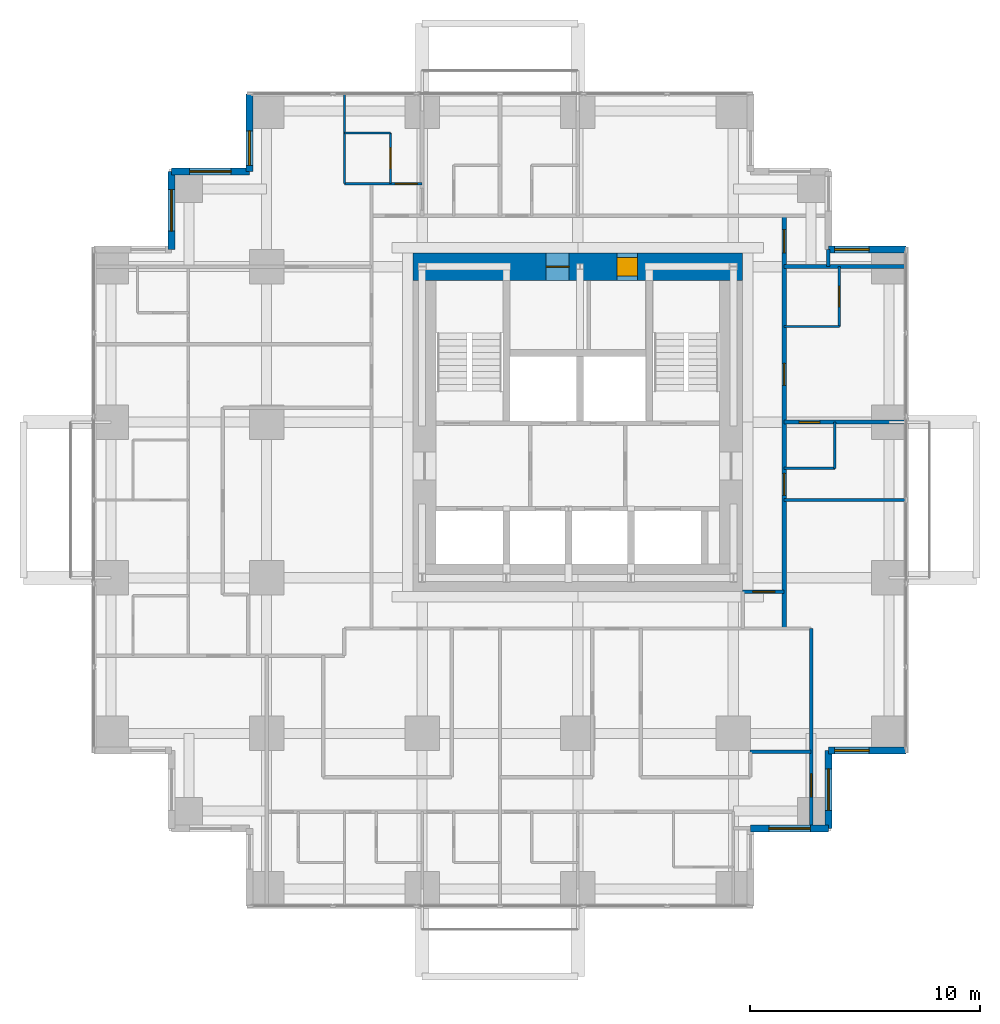
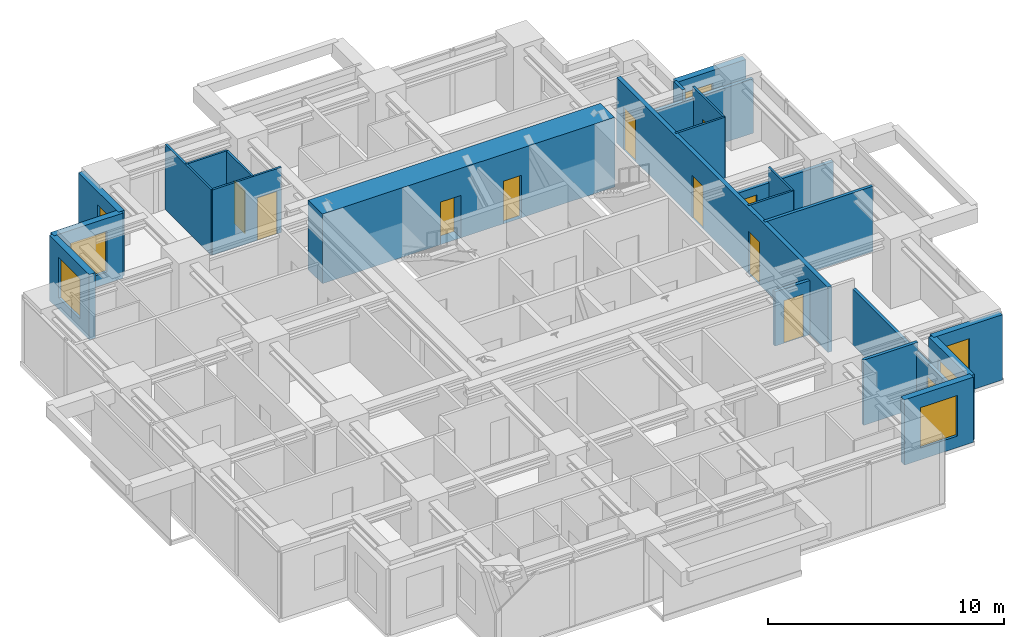
# One storey, part 8 of 10: 24 walls, 11 doors, 7 windows, 18 openings.
"""IFC4 building model written with IfcOpenShell, lengths in metres."""

from ifc_helpers import new_model, si_unit, direction, frame, frame_2d, origin, place, context, subcontext, project, spatial, rectangle, extrude, material, layer, layer_set, type_object, element, fill, save


model = new_model("IFC4")

# Units and contexts
model_context = context("Model", 3, precision=1e-05, world=origin(), true_north=direction((0.0, 1.0)))
body_context = subcontext(model_context, "Body", "Model", "MODEL_VIEW")
ifc_project = project(units=[si_unit("LENGTHUNIT", "METRE"), si_unit("AREAUNIT", "SQUARE_METRE"), si_unit("VOLUMEUNIT", "CUBIC_METRE"), si_unit("PLANEANGLEUNIT", "RADIAN"), si_unit("MASSUNIT", "GRAM", prefix="KILO")], contexts=[model_context])

# Site, building, storey
site_placement = place(None, origin())
site = spatial("IfcSite", under=ifc_project, at=site_placement, CompositionType="ELEMENT")
building_placement = place(site_placement, origin())
building = spatial("IfcBuilding", under=site, at=building_placement, Name="Nyansa Garden Tower", CompositionType="ELEMENT")
storey_placement = place(building_placement, frame((0.0, 0.0, 153.0)))
storey = spatial("IfcBuildingStorey", under=building, at=storey_placement, Name="L41", CompositionType="ELEMENT", Elevation=153.0)

# Wall, opening, door
ifc_material_1 = material(Name="Dense blockwork, plastered both sides, 55 dB", Category="masonry")
ifc_layer_1 = layer(ifc_material_1, 0.175048828125)
ifc_layer_set_1 = layer_set([ifc_layer_1], Name="Acoustic party wall PW175")
wall_type_1 = type_object("IfcWallType", Name="Acoustic party wall PW175", PredefinedType="PARTITIONING", material=ifc_layer_set_1)
wall_1_placement = place(storey_placement, frame((29.199951171875, 20.25, 0.0), z_axis=(0.0, 0.0, 1.0), x_axis=(1.0, 0.0, 0.0)))
wall_1 = element("IfcWall", 1, at=wall_1_placement, inside=storey, type_object=wall_type_1, Name="Party wall", PredefinedType="PARTITIONING", context=body_context, shape_type="SweptSolid", body=[
    extrude(rectangle(XDim=5.283935546875, YDim=0.175048828125, at=frame_2d((2.64208984375, 0.0))), origin(), (0.0, 0.0, 1.0), 2.610107421875),
])
opening_1_placement = place(wall_1_placement, frame((0.64990234375, 0.0, 0.0)))
opening_1 = element("IfcOpeningElement", 2, at=opening_1_placement, cuts=wall_1, Name="Opening D02", PredefinedType="OPENING", context=body_context, shape_type="SweptSolid", body=[
    extrude(rectangle(XDim=0.89990234375, YDim=2.199951171875, at=frame_2d((0.449951171875, 1.10009765625))), frame((0.0, 0.097412109375, 0.0), z_axis=(0.0, -1.0, 0.0), x_axis=(1.0, 0.0, 0.0)), (0.0, 0.0, 1.0), 0.195068359375),
])
ifc_material_2 = material(Name="Timber flush door", Category="wood")
door_type_1 = type_object("IfcDoorType", Name="En-suite door D02 900x2200", OperationType="SINGLE_SWING_RIGHT", PredefinedType="DOOR", material=ifc_material_2)
door_1_placement = place(opening_1_placement, origin())
door_1 = element("IfcDoor", 3, at=door_1_placement, inside=storey, type_object=door_type_1, Name="Door L41-037", OperationType="SINGLE_SWING_RIGHT", OverallHeight=2.199951171875, OverallWidth=0.89990234375, PredefinedType="DOOR", context=body_context, shape_type="SweptSolid", body=[
    extrude(rectangle(XDim=0.89990234375, YDim=2.199951171875, at=frame_2d((0.449951171875, 1.10009765625))), frame((0.0, 0.02490234375, 0.0), z_axis=(0.0, -1.0, 0.0), x_axis=(1.0, 0.0, 0.0)), (0.0, 0.0, 1.0), 0.050048828125),
])
fill(opening_1, door_1)

# Wall
wall_2_placement = place(storey_placement, frame((29.199951171875, 27.0, 0.0), z_axis=(0.0, 0.0, 1.0), x_axis=(1.0, 0.0, 0.0)))
element("IfcWall", 4, at=wall_2_placement, inside=storey, type_object=wall_type_1, Name="Party wall", PredefinedType="PARTITIONING", context=body_context, shape_type="SweptSolid", body=[
    extrude(rectangle(XDim=5.283935546875, YDim=0.175048828125, at=frame_2d((2.64208984375, 0.0))), origin(), (0.0, 0.0, 1.0), 2.805908203125),
])

# Wall, openings, doors
ifc_material_3 = material(Name="Concrete C80/95", Category="concrete")
ifc_layer_2 = layer(ifc_material_3, 1.199951171875)
ifc_layer_set_2 = layer_set([ifc_layer_2], Name="Core wall CW1200")
wall_type_2 = type_object("IfcWallType", Name="Core wall CW1200", PredefinedType="SHEAR", material=ifc_layer_set_2)
wall_3_placement = place(storey_placement, frame((27.39990234375, 27.0, 0.0), z_axis=(0.0, 0.0, 1.0), x_axis=(-1.0, 0.0, 0.0)))
wall_3 = element("IfcWall", 5, at=wall_3_placement, inside=storey, type_object=wall_type_2, Name="Core wall N L41", PredefinedType="SHEAR", context=body_context, shape_type="SweptSolid", body=[
    extrude(rectangle(XDim=14.2998046875, YDim=1.199951171875, at=frame_2d((7.14990234375, 0.0))), origin(), (0.0, 0.0, 1.0), 3.60009765625),
])
opening_2_placement = place(wall_3_placement, frame((4.550048828125, 0.0, 0.0)))
opening_2 = element("IfcOpeningElement", 6, at=opening_2_placement, cuts=wall_3, Name="Opening D15", PredefinedType="OPENING", context=body_context, shape_type="SweptSolid", body=[
    extrude(rectangle(XDim=0.89990234375, YDim=2.199951171875, at=frame_2d((0.449951171875, 1.10009765625))), frame((0.0, 0.60986328125, 0.0), z_axis=(0.0, -1.0, 0.0), x_axis=(1.0, 0.0, 0.0)), (0.0, 0.0, 1.0), 1.219970703125),
])
opening_3_placement = place(wall_3_placement, frame((7.52490234375, 0.0, 0.0)))
opening_3 = element("IfcOpeningElement", 7, at=opening_3_placement, cuts=wall_3, Name="Opening D07", PredefinedType="OPENING", context=body_context, shape_type="SweptSolid", body=[
    extrude(rectangle(XDim=1.0, YDim=2.199951171875, at=frame_2d((0.5, 1.10009765625))), frame((0.0, 0.60986328125, 0.0), z_axis=(0.0, -1.0, 0.0), x_axis=(1.0, 0.0, 0.0)), (0.0, 0.0, 1.0), 1.219970703125),
])
ifc_material_4 = material(Name="Timber flush door, 60 minute fire resisting, self-closing", Category="wood")
door_type_2 = type_object("IfcDoorType", Name="Core room door D15 900x2200", OperationType="SINGLE_SWING_LEFT", PredefinedType="DOOR", material=ifc_material_4)
door_2_placement = place(opening_2_placement, origin())
door_2 = element("IfcDoor", 8, at=door_2_placement, inside=storey, type_object=door_type_2, Name="Core room door", OperationType="SINGLE_SWING_LEFT", OverallHeight=2.199951171875, OverallWidth=0.89990234375, PredefinedType="DOOR", context=body_context, shape_type="SweptSolid", body=[
    extrude(rectangle(XDim=0.89990234375, YDim=2.199951171875, at=frame_2d((0.449951171875, 1.10009765625))), frame((0.0, 0.39990234375, 0.0), z_axis=(0.0, -1.0, 0.0), x_axis=(1.0, 0.0, 0.0)), (0.0, 0.0, 1.0), 0.800048828125),
])
fill(opening_2, door_2)
ifc_material_5 = material(Name="Steel door, 120 minute fire resisting", Category="steel")
door_type_3 = type_object("IfcDoorType", Name="Riser door D07 1000x2200", OperationType="SINGLE_SWING_LEFT", PredefinedType="DOOR", material=ifc_material_5)
door_3_placement = place(opening_3_placement, origin())
door_3 = element("IfcDoor", 9, at=door_3_placement, inside=storey, type_object=door_type_3, Name="Riser and refuse room door", OperationType="SINGLE_SWING_LEFT", OverallHeight=2.199951171875, OverallWidth=1.0, PredefinedType="DOOR", context=body_context, shape_type="SweptSolid", body=[
    extrude(rectangle(XDim=1.0, YDim=2.199951171875, at=frame_2d((0.5, 1.10009765625))), frame((0.0, 0.02490234375, 0.0), z_axis=(0.0, -1.0, 0.0), x_axis=(1.0, 0.0, 0.0)), (0.0, 0.0, 1.0), 0.050048828125),
])
fill(opening_3, door_3)

ifc_material_6 = material(Name="Concrete blockwork, plastered, 60 minute fire resisting", Category="masonry")
ifc_layer_3 = layer(ifc_material_6, 0.199951171875)
ifc_layer_set_3 = layer_set([ifc_layer_3], Name="Corridor wall FW200")
wall_type_3 = type_object("IfcWallType", Name="Corridor wall FW200", PredefinedType="PARTITIONING", material=ifc_layer_set_3)
wall_4_placement = place(storey_placement, frame((29.199951171875, 11.300048828125, 0.0), z_axis=(0.0, 0.0, 1.0), x_axis=(0.0, 1.0, 0.0)))
wall_4 = element("IfcWall", 10, at=wall_4_placement, inside=storey, type_object=wall_type_3, Name="Corridor wall", PredefinedType="PARTITIONING", context=body_context, shape_type="SweptSolid", body=[
    extrude(rectangle(XDim=17.89990234375, YDim=0.199951171875, at=frame_2d((8.949951171875, 0.0))), origin(), (0.0, 0.0, 1.0), 3.375),
])
opening_4_placement = place(wall_4_placement, frame((10.550048828125, 0.0, 0.0)))
opening_4 = element("IfcOpeningElement", 11, at=opening_4_placement, cuts=wall_4, Name="Opening D14", PredefinedType="OPENING", context=body_context, shape_type="SweptSolid", body=[
    extrude(rectangle(XDim=0.949951171875, YDim=2.199951171875, at=frame_2d((0.47509765625, 1.10009765625))), frame((0.0, 0.10986328125, 0.0), z_axis=(0.0, -1.0, 0.0), x_axis=(1.0, 0.0, 0.0)), (0.0, 0.0, 1.0), 0.219970703125),
])
opening_5_placement = place(wall_4_placement, frame((5.77490234375, 0.0, 0.0)))
opening_5 = element("IfcOpeningElement", 12, at=opening_5_placement, cuts=wall_4, Name="Opening D14", PredefinedType="OPENING", context=body_context, shape_type="SweptSolid", body=[
    extrude(rectangle(XDim=0.949951171875, YDim=2.199951171875, at=frame_2d((0.47509765625, 1.10009765625))), frame((0.0, 0.10986328125, 0.0), z_axis=(0.0, -1.0, 0.0), x_axis=(1.0, 0.0, 0.0)), (0.0, 0.0, 1.0), 0.219970703125),
])
opening_6_placement = place(wall_4_placement, frame((16.300048828125, 0.0, 0.0)))
opening_6 = element("IfcOpeningElement", 13, at=opening_6_placement, cuts=wall_4, Name="Opening D03", PredefinedType="OPENING", context=body_context, shape_type="SweptSolid", body=[
    extrude(rectangle(XDim=1.0, YDim=2.199951171875, at=frame_2d((0.5, 1.10009765625))), frame((0.0, 0.10986328125, 0.0), z_axis=(0.0, -1.0, 0.0), x_axis=(1.0, 0.0, 0.0)), (0.0, 0.0, 1.0), 0.219970703125),
])
ifc_material_7 = material(Name="Timber flush door, 60 minute fire resisting", Category="wood")
door_type_4 = type_object("IfcDoorType", Name="Cluster entrance door D03 1000x2200", OperationType="SINGLE_SWING_LEFT", PredefinedType="DOOR", material=ifc_material_7)
door_4_placement = place(opening_6_placement, origin())
door_4 = element("IfcDoor", 14, at=door_4_placement, inside=storey, type_object=door_type_4, Name="Door L41-038", OperationType="SINGLE_SWING_LEFT", OverallHeight=2.199951171875, OverallWidth=1.0, PredefinedType="DOOR", context=body_context, shape_type="SweptSolid", body=[
    extrude(rectangle(XDim=1.0, YDim=2.199951171875, at=frame_2d((0.5, 1.10009765625))), frame((0.0, 0.02490234375, 0.0), z_axis=(0.0, -1.0, 0.0), x_axis=(1.0, 0.0, 0.0)), (0.0, 0.0, 1.0), 0.050048828125),
])
fill(opening_6, door_4)
ifc_material_8 = material(Name="Timber flush door, 60 minute fire resisting, self-closing", Category="wood")
door_type_5 = type_object("IfcDoorType", Name="Studio entrance door D14 950x2200", OperationType="SINGLE_SWING_LEFT", PredefinedType="DOOR", material=ifc_material_8)
door_5_placement = place(opening_4_placement, origin())
door_5 = element("IfcDoor", 15, at=door_5_placement, inside=storey, type_object=door_type_5, Name="Door L41-034", OperationType="SINGLE_SWING_LEFT", OverallHeight=2.199951171875, OverallWidth=0.949951171875, PredefinedType="DOOR", context=body_context, shape_type="SweptSolid", body=[
    extrude(rectangle(XDim=0.949951171875, YDim=2.199951171875, at=frame_2d((0.47509765625, 1.10009765625))), frame((0.0, 0.02490234375, 0.0), z_axis=(0.0, -1.0, 0.0), x_axis=(1.0, 0.0, 0.0)), (0.0, 0.0, 1.0), 0.050048828125),
])
fill(opening_4, door_5)
door_6_placement = place(opening_5_placement, origin())
door_6 = element("IfcDoor", 16, at=door_6_placement, inside=storey, type_object=door_type_5, Name="Door L41-036", OperationType="SINGLE_SWING_LEFT", OverallHeight=2.199951171875, OverallWidth=0.949951171875, PredefinedType="DOOR", context=body_context, shape_type="SweptSolid", body=[
    extrude(rectangle(XDim=0.949951171875, YDim=2.199951171875, at=frame_2d((0.47509765625, 1.10009765625))), frame((0.0, 0.02490234375, 0.0), z_axis=(0.0, -1.0, 0.0), x_axis=(1.0, 0.0, 0.0)), (0.0, 0.0, 1.0), 0.050048828125),
])
fill(opening_5, door_6)

# Wall, opening, door
ifc_material_9 = material(Name="Blockwork, plastered both sides", Category="masonry")
ifc_layer_4 = layer(ifc_material_9, 0.14990234375)
ifc_layer_set_4 = layer_set([ifc_layer_4], Name="Partition PW150")
wall_type_4 = type_object("IfcWallType", Name="Partition PW150", PredefinedType="PARTITIONING", material=ifc_layer_set_4)
wall_5_placement = place(storey_placement, frame((27.39990234375, 12.89990234375, 0.0), z_axis=(0.0, 0.0, 1.0), x_axis=(1.0, 0.0, 0.0)))
wall_5 = element("IfcWall", 17, at=wall_5_placement, inside=storey, type_object=wall_type_4, Name="Partition", PredefinedType="PARTITIONING", context=body_context, shape_type="SweptSolid", body=[
    extrude(rectangle(XDim=1.800048828125, YDim=0.14990234375, at=frame_2d((0.89990234375, 0.0))), origin(), (0.0, 0.0, 1.0), 2.805908203125),
])
opening_7_placement = place(wall_5_placement, frame((0.449951171875, 0.0, 0.0)))
opening_7 = element("IfcOpeningElement", 18, at=opening_7_placement, cuts=wall_5, Name="Opening D01", PredefinedType="OPENING", context=body_context, shape_type="SweptSolid", body=[
    extrude(rectangle(XDim=0.949951171875, YDim=2.199951171875, at=frame_2d((0.47509765625, 1.10009765625))), frame((0.0, 0.0849609375, 0.0), z_axis=(0.0, -1.0, 0.0), x_axis=(1.0, 0.0, 0.0)), (0.0, 0.0, 1.0), 0.169921875),
])
ifc_material_10 = material(Name="Timber flush door, 30 minute fire resisting", Category="wood")
door_type_6 = type_object("IfcDoorType", Name="Bedroom door D01 950x2200", OperationType="SINGLE_SWING_LEFT", PredefinedType="DOOR", material=ifc_material_10)
door_7_placement = place(opening_7_placement, origin())
door_7 = element("IfcDoor", 19, at=door_7_placement, inside=storey, type_object=door_type_6, Name="Door L41-016", OperationType="SINGLE_SWING_LEFT", OverallHeight=2.199951171875, OverallWidth=0.949951171875, PredefinedType="DOOR", context=body_context, shape_type="SweptSolid", body=[
    extrude(rectangle(XDim=0.949951171875, YDim=2.199951171875, at=frame_2d((0.47509765625, 1.10009765625))), frame((0.0, 0.02490234375, 0.0), z_axis=(0.0, -1.0, 0.0), x_axis=(1.0, 0.0, 0.0)), (0.0, 0.0, 1.0), 0.050048828125),
])
fill(opening_7, door_7)

# Walls
wall_6_placement = place(storey_placement, frame((27.72509765625, 5.949951171875, 0.0), z_axis=(0.0, 0.0, 1.0), x_axis=(1.0, 0.0, 0.0)))
element("IfcWall", 20, at=wall_6_placement, inside=storey, type_object=wall_type_4, Name="Partition", PredefinedType="PARTITIONING", context=body_context, shape_type="SweptSolid", body=[
    extrude(rectangle(XDim=2.64990234375, YDim=0.14990234375, at=frame_2d((1.324951171875, 0.0))), origin(), (0.0, 0.0, 1.0), 3.375),
])
wall_7_placement = place(storey_placement, frame((29.199951171875, 16.875, 0.0), z_axis=(0.0, 0.0, 1.0), x_axis=(1.0, 0.0, 0.0)))
element("IfcWall", 21, at=wall_7_placement, inside=storey, type_object=wall_type_4, Name="Partition", PredefinedType="PARTITIONING", context=body_context, shape_type="SweptSolid", body=[
    extrude(rectangle(XDim=5.283935546875, YDim=0.14990234375, at=frame_2d((2.64208984375, 0.0))), origin(), (0.0, 0.0, 1.0), 3.375),
])

# Wall, opening, door
wall_8_placement = place(storey_placement, frame((30.375, 2.77490234375, 0.0), z_axis=(0.0, 0.0, 1.0), x_axis=(0.0, 1.0, 0.0)))
wall_8 = element("IfcWall", 22, at=wall_8_placement, inside=storey, type_object=wall_type_4, Name="Partition", PredefinedType="PARTITIONING", context=body_context, shape_type="SweptSolid", body=[
    extrude(rectangle(XDim=8.525146484375, YDim=0.14990234375, at=frame_2d((4.2626953125, 0.0))), origin(), (0.0, 0.0, 1.0), 2.876953125),
])
opening_8_placement = place(wall_8_placement, frame((1.216064453125, 0.0, 0.0)))
opening_8 = element("IfcOpeningElement", 23, at=opening_8_placement, cuts=wall_8, Name="Opening D03", PredefinedType="OPENING", context=body_context, shape_type="SweptSolid", body=[
    extrude(rectangle(XDim=1.0, YDim=2.199951171875, at=frame_2d((0.5, 1.10009765625))), frame((0.0, 0.0849609375, 0.0), z_axis=(0.0, -1.0, 0.0), x_axis=(1.0, 0.0, 0.0)), (0.0, 0.0, 1.0), 0.169921875),
])
door_8_placement = place(opening_8_placement, origin())
door_8 = element("IfcDoor", 24, at=door_8_placement, inside=storey, type_object=door_type_4, Name="Door L41-033", OperationType="SINGLE_SWING_LEFT", OverallHeight=2.199951171875, OverallWidth=1.0, PredefinedType="DOOR", context=body_context, shape_type="SweptSolid", body=[
    extrude(rectangle(XDim=1.0, YDim=2.199951171875, at=frame_2d((0.5, 1.10009765625))), frame((0.0, 0.02490234375, 0.0), z_axis=(0.0, -1.0, 0.0), x_axis=(1.0, 0.0, 0.0)), (0.0, 0.0, 1.0), 0.050048828125),
])
fill(opening_8, door_8)

# Wall
wall_9_placement = place(storey_placement, frame((31.125, 27.0, 0.0), z_axis=(0.0, 0.0, 1.0), x_axis=(0.0, 1.0, 0.0)))
element("IfcWall", 25, at=wall_9_placement, inside=storey, type_object=wall_type_4, Name="Partition", PredefinedType="PARTITIONING", context=body_context, shape_type="SweptSolid", body=[
    extrude(rectangle(XDim=0.73388671875, YDim=0.14990234375, at=frame_2d((0.366943359375, 0.0))), origin(), (0.0, 0.0, 1.0), 3.375),
])

# Wall, opening, window
ifc_material_11 = material(Name="Turquoise glazed tile on concrete blockwork", Category="masonry")
ifc_layer_5 = layer(ifc_material_11, 0.300048828125)
ifc_layer_set_5 = layer_set([ifc_layer_5], Name="Tiled corner wall TW300")
wall_type_5 = type_object("IfcWallType", Name="Tiled corner wall TW300", PredefinedType="SOLIDWALL", material=ifc_layer_set_5)
wall_10_placement = place(storey_placement, frame((34.5, 27.75, 0.0), z_axis=(0.0, 0.0, 1.0), x_axis=(-1.0, 0.0, 0.0)))
wall_10 = element("IfcWall", 26, at=wall_10_placement, inside=storey, type_object=wall_type_5, Name="Tiled corner wall L41", PredefinedType="SOLIDWALL", context=body_context, shape_type="SweptSolid", body=[
    extrude(rectangle(XDim=3.375, YDim=0.300048828125, at=frame_2d((1.6875, 0.0))), origin(), (0.0, 0.0, 1.0), 3.375),
])
opening_9_placement = place(wall_10_placement, frame((1.607421875, 0.0, 0.89990234375)))
opening_9 = element("IfcOpeningElement", 27, at=opening_9_placement, cuts=wall_10, Name="Opening W1", PredefinedType="OPENING", context=body_context, shape_type="SweptSolid", body=[
    extrude(rectangle(XDim=1.5, YDim=1.800048828125, at=frame_2d((0.75, 0.89990234375))), frame((0.0, 0.159912109375, 0.0), z_axis=(0.0, -1.0, 0.0), x_axis=(1.0, 0.0, 0.0)), (0.0, 0.0, 1.0), 0.320068359375),
])
ifc_material_12 = material(Name="Black aluminium frame, dark tinted double glazing", Category="aluminium")
window_type_1 = type_object("IfcWindowType", Name="Window W1 1500x1800", PartitioningType="SINGLE_PANEL", PredefinedType="WINDOW", material=ifc_material_12)
window_1_placement = place(opening_9_placement, origin())
window_1 = element("IfcWindow", 28, at=window_1_placement, inside=storey, type_object=window_type_1, Name="Corner window L41", OverallHeight=1.800048828125, OverallWidth=1.5, PartitioningType="SINGLE_PANEL", PredefinedType="WINDOW", context=body_context, shape_type="SweptSolid", body=[
    extrude(rectangle(XDim=1.5, YDim=1.800048828125, at=frame_2d((0.75, 0.89990234375))), frame((0.0, 0.030029296875, 0.0), z_axis=(0.0, -1.0, 0.0), x_axis=(1.0, 0.0, 0.0)), (0.0, 0.0, 1.0), 0.06005859375),
])
fill(opening_9, window_1)

wall_11_placement = place(storey_placement, frame((6.0, 34.5, 0.0), z_axis=(0.0, 0.0, 1.0), x_axis=(0.0, -1.0, 0.0)))
wall_11 = element("IfcWall", 29, at=wall_11_placement, inside=storey, type_object=wall_type_5, Name="Tiled corner wall L41", PredefinedType="SOLIDWALL", context=body_context, shape_type="SweptSolid", body=[
    extrude(rectangle(XDim=3.375, YDim=0.300048828125, at=frame_2d((1.6875, 0.0))), origin(), (0.0, 0.0, 1.0), 3.375),
])
opening_10_placement = place(wall_11_placement, frame((1.607421875, 0.0, 0.89990234375)))
opening_10 = element("IfcOpeningElement", 30, at=opening_10_placement, cuts=wall_11, Name="Opening W1", PredefinedType="OPENING", context=body_context, shape_type="SweptSolid", body=[
    extrude(rectangle(XDim=1.5, YDim=1.800048828125, at=frame_2d((0.75, 0.89990234375))), frame((0.0, 0.159912109375, 0.0), z_axis=(0.0, -1.0, 0.0), x_axis=(1.0, 0.0, 0.0)), (0.0, 0.0, 1.0), 0.320068359375),
])
window_2_placement = place(opening_10_placement, origin())
window_2 = element("IfcWindow", 31, at=window_2_placement, inside=storey, type_object=window_type_1, Name="Corner window L41", OverallHeight=1.800048828125, OverallWidth=1.5, PartitioningType="SINGLE_PANEL", PredefinedType="WINDOW", context=body_context, shape_type="SweptSolid", body=[
    extrude(rectangle(XDim=1.5, YDim=1.800048828125, at=frame_2d((0.75, 0.89990234375))), frame((0.0, 0.030029296875, 0.0), z_axis=(0.0, -1.0, 0.0), x_axis=(1.0, 0.0, 0.0)), (0.0, 0.0, 1.0), 0.06005859375),
])
fill(opening_10, window_2)

wall_12_placement = place(storey_placement, frame((6.0, 31.125, 0.0), z_axis=(0.0, 0.0, 1.0), x_axis=(-1.0, 0.0, 0.0)))
wall_12 = element("IfcWall", 32, at=wall_12_placement, inside=storey, type_object=wall_type_5, Name="Tiled corner wall L41", PredefinedType="SOLIDWALL", context=body_context, shape_type="SweptSolid", body=[
    extrude(rectangle(XDim=3.375, YDim=0.300048828125, at=frame_2d((1.6875, 0.0))), origin(), (0.0, 0.0, 1.0), 3.375),
])
opening_11_placement = place(wall_12_placement, frame((0.78759765625, 0.0, 0.60009765625)))
opening_11 = element("IfcOpeningElement", 33, at=opening_11_placement, cuts=wall_12, Name="Opening W2", PredefinedType="OPENING", context=body_context, shape_type="SweptSolid", body=[
    extrude(rectangle(XDim=1.800048828125, YDim=2.10009765625, at=frame_2d((0.89990234375, 1.050048828125))), frame((0.0, 0.159912109375, 0.0), z_axis=(0.0, -1.0, 0.0), x_axis=(1.0, 0.0, 0.0)), (0.0, 0.0, 1.0), 0.320068359375),
])
ifc_material_13 = material(Name="Black aluminium frame, dark tinted double glazing", Category="aluminium")
window_type_2 = type_object("IfcWindowType", Name="Window W2 1800x2100", PartitioningType="SINGLE_PANEL", PredefinedType="WINDOW", material=ifc_material_13)
window_3_placement = place(opening_11_placement, origin())
window_3 = element("IfcWindow", 34, at=window_3_placement, inside=storey, type_object=window_type_2, Name="Corner window L41", OverallHeight=2.10009765625, OverallWidth=1.800048828125, PartitioningType="SINGLE_PANEL", PredefinedType="WINDOW", context=body_context, shape_type="SweptSolid", body=[
    extrude(rectangle(XDim=1.800048828125, YDim=2.10009765625, at=frame_2d((0.89990234375, 1.050048828125))), frame((0.0, 0.030029296875, 0.0), z_axis=(0.0, -1.0, 0.0), x_axis=(1.0, 0.0, 0.0)), (0.0, 0.0, 1.0), 0.06005859375),
])
fill(opening_11, window_3)

wall_13_placement = place(storey_placement, frame((2.625, 31.125, 0.0), z_axis=(0.0, 0.0, 1.0), x_axis=(0.0, -1.0, 0.0)))
wall_13 = element("IfcWall", 35, at=wall_13_placement, inside=storey, type_object=wall_type_5, Name="Tiled corner wall L41", PredefinedType="SOLIDWALL", context=body_context, shape_type="SweptSolid", body=[
    extrude(rectangle(XDim=3.375, YDim=0.300048828125, at=frame_2d((1.6875, 0.0))), origin(), (0.0, 0.0, 1.0), 3.375),
])
opening_12_placement = place(wall_13_placement, frame((0.78759765625, 0.0, 0.60009765625)))
opening_12 = element("IfcOpeningElement", 36, at=opening_12_placement, cuts=wall_13, Name="Opening W2", PredefinedType="OPENING", context=body_context, shape_type="SweptSolid", body=[
    extrude(rectangle(XDim=1.800048828125, YDim=2.10009765625, at=frame_2d((0.89990234375, 1.050048828125))), frame((0.0, 0.159912109375, 0.0), z_axis=(0.0, -1.0, 0.0), x_axis=(1.0, 0.0, 0.0)), (0.0, 0.0, 1.0), 0.320068359375),
])
window_4_placement = place(opening_12_placement, origin())
window_4 = element("IfcWindow", 37, at=window_4_placement, inside=storey, type_object=window_type_2, Name="Corner window L41", OverallHeight=2.10009765625, OverallWidth=1.800048828125, PartitioningType="SINGLE_PANEL", PredefinedType="WINDOW", context=body_context, shape_type="SweptSolid", body=[
    extrude(rectangle(XDim=1.800048828125, YDim=2.10009765625, at=frame_2d((0.89990234375, 1.050048828125))), frame((0.0, 0.030029296875, 0.0), z_axis=(0.0, -1.0, 0.0), x_axis=(1.0, 0.0, 0.0)), (0.0, 0.0, 1.0), 0.06005859375),
])
fill(opening_12, window_4)

wall_14_placement = place(storey_placement, frame((27.75, 2.625, 0.0), z_axis=(0.0, 0.0, 1.0), x_axis=(1.0, 0.0, 0.0)))
wall_14 = element("IfcWall", 38, at=wall_14_placement, inside=storey, type_object=wall_type_5, Name="Tiled corner wall L41", PredefinedType="SOLIDWALL", context=body_context, shape_type="SweptSolid", body=[
    extrude(rectangle(XDim=3.375, YDim=0.300048828125, at=frame_2d((1.6875, 0.0))), origin(), (0.0, 0.0, 1.0), 3.375),
])
opening_13_placement = place(wall_14_placement, frame((0.78759765625, 0.0, 0.60009765625)))
opening_13 = element("IfcOpeningElement", 39, at=opening_13_placement, cuts=wall_14, Name="Opening W2", PredefinedType="OPENING", context=body_context, shape_type="SweptSolid", body=[
    extrude(rectangle(XDim=1.800048828125, YDim=2.10009765625, at=frame_2d((0.89990234375, 1.050048828125))), frame((0.0, 0.159912109375, 0.0), z_axis=(0.0, -1.0, 0.0), x_axis=(1.0, 0.0, 0.0)), (0.0, 0.0, 1.0), 0.320068359375),
])
window_5_placement = place(opening_13_placement, origin())
window_5 = element("IfcWindow", 40, at=window_5_placement, inside=storey, type_object=window_type_2, Name="Corner window L41", OverallHeight=2.10009765625, OverallWidth=1.800048828125, PartitioningType="SINGLE_PANEL", PredefinedType="WINDOW", context=body_context, shape_type="SweptSolid", body=[
    extrude(rectangle(XDim=1.800048828125, YDim=2.10009765625, at=frame_2d((0.89990234375, 1.050048828125))), frame((0.0, 0.030029296875, 0.0), z_axis=(0.0, -1.0, 0.0), x_axis=(1.0, 0.0, 0.0)), (0.0, 0.0, 1.0), 0.06005859375),
])
fill(opening_13, window_5)

wall_15_placement = place(storey_placement, frame((31.125, 2.625, 0.0), z_axis=(0.0, 0.0, 1.0), x_axis=(0.0, 1.0, 0.0)))
wall_15 = element("IfcWall", 41, at=wall_15_placement, inside=storey, type_object=wall_type_5, Name="Tiled corner wall L41", PredefinedType="SOLIDWALL", context=body_context, shape_type="SweptSolid", body=[
    extrude(rectangle(XDim=3.375, YDim=0.300048828125, at=frame_2d((1.6875, 0.0))), origin(), (0.0, 0.0, 1.0), 3.375),
])
opening_14_placement = place(wall_15_placement, frame((0.78759765625, 0.0, 0.60009765625)))
opening_14 = element("IfcOpeningElement", 42, at=opening_14_placement, cuts=wall_15, Name="Opening W2", PredefinedType="OPENING", context=body_context, shape_type="SweptSolid", body=[
    extrude(rectangle(XDim=1.800048828125, YDim=2.10009765625, at=frame_2d((0.89990234375, 1.050048828125))), frame((0.0, 0.159912109375, 0.0), z_axis=(0.0, -1.0, 0.0), x_axis=(1.0, 0.0, 0.0)), (0.0, 0.0, 1.0), 0.320068359375),
])
window_6_placement = place(opening_14_placement, origin())
window_6 = element("IfcWindow", 43, at=window_6_placement, inside=storey, type_object=window_type_2, Name="Corner window L41", OverallHeight=2.10009765625, OverallWidth=1.800048828125, PartitioningType="SINGLE_PANEL", PredefinedType="WINDOW", context=body_context, shape_type="SweptSolid", body=[
    extrude(rectangle(XDim=1.800048828125, YDim=2.10009765625, at=frame_2d((0.89990234375, 1.050048828125))), frame((0.0, 0.030029296875, 0.0), z_axis=(0.0, -1.0, 0.0), x_axis=(1.0, 0.0, 0.0)), (0.0, 0.0, 1.0), 0.06005859375),
])
fill(opening_14, window_6)

wall_16_placement = place(storey_placement, frame((31.125, 6.0, 0.0), z_axis=(0.0, 0.0, 1.0), x_axis=(1.0, 0.0, 0.0)))
wall_16 = element("IfcWall", 44, at=wall_16_placement, inside=storey, type_object=wall_type_5, Name="Tiled corner wall L41", PredefinedType="SOLIDWALL", context=body_context, shape_type="SweptSolid", body=[
    extrude(rectangle(XDim=3.375, YDim=0.300048828125, at=frame_2d((1.6875, 0.0))), origin(), (0.0, 0.0, 1.0), 3.375),
])
opening_15_placement = place(wall_16_placement, frame((0.267578125, 0.0, 0.89990234375)))
opening_15 = element("IfcOpeningElement", 45, at=opening_15_placement, cuts=wall_16, Name="Opening W1", PredefinedType="OPENING", context=body_context, shape_type="SweptSolid", body=[
    extrude(rectangle(XDim=1.5, YDim=1.800048828125, at=frame_2d((0.75, 0.89990234375))), frame((0.0, 0.159912109375, 0.0), z_axis=(0.0, -1.0, 0.0), x_axis=(1.0, 0.0, 0.0)), (0.0, 0.0, 1.0), 0.320068359375),
])
window_7_placement = place(opening_15_placement, origin())
window_7 = element("IfcWindow", 46, at=window_7_placement, inside=storey, type_object=window_type_1, Name="Corner window L41", OverallHeight=1.800048828125, OverallWidth=1.5, PartitioningType="SINGLE_PANEL", PredefinedType="WINDOW", context=body_context, shape_type="SweptSolid", body=[
    extrude(rectangle(XDim=1.5, YDim=1.800048828125, at=frame_2d((0.75, 0.89990234375))), frame((0.0, 0.030029296875, 0.0), z_axis=(0.0, -1.0, 0.0), x_axis=(1.0, 0.0, 0.0)), (0.0, 0.0, 1.0), 0.06005859375),
])
fill(opening_15, window_7)

# Wall
ifc_material_14 = material(Name="Moisture resistant board on steel studs, tiled", Category="steel")
ifc_layer_6 = layer(ifc_material_14, 0.10009765625)
ifc_layer_set_6 = layer_set([ifc_layer_6], Name="Wet wall PW100")
wall_type_6 = type_object("IfcWallType", Name="Wet wall PW100", PredefinedType="PARTITIONING", material=ifc_layer_set_6)
wall_17_placement = place(storey_placement, frame((10.125, 30.60009765625, 0.0), z_axis=(0.0, 0.0, 1.0), x_axis=(0.0, 1.0, 0.0)))
element("IfcWall", 47, at=wall_17_placement, inside=storey, type_object=wall_type_6, Name="Wet wall", PredefinedType="PARTITIONING", context=body_context, shape_type="SweptSolid", body=[
    extrude(rectangle(XDim=3.8837890625, YDim=0.10009765625, at=frame_2d((1.94189453125, 0.0))), origin(), (0.0, 0.0, 1.0), 3.375),
])

# Wall, opening, door
wall_18_placement = place(storey_placement, frame((10.125, 30.60009765625, 0.0), z_axis=(0.0, 0.0, 1.0), x_axis=(1.0, 0.0, 0.0)))
wall_18 = element("IfcWall", 48, at=wall_18_placement, inside=storey, type_object=wall_type_6, Name="Wet wall", PredefinedType="PARTITIONING", context=body_context, shape_type="SweptSolid", body=[
    extrude(rectangle(XDim=3.375, YDim=0.10009765625, at=frame_2d((1.6875, 0.0))), origin(), (0.0, 0.0, 1.0), 3.375),
])
opening_16_placement = place(wall_18_placement, frame((2.199951171875, 0.0, 0.0)))
opening_16 = element("IfcOpeningElement", 49, at=opening_16_placement, cuts=wall_18, Name="Opening D14", PredefinedType="OPENING", context=body_context, shape_type="SweptSolid", body=[
    extrude(rectangle(XDim=0.949951171875, YDim=2.199951171875, at=frame_2d((0.47509765625, 1.10009765625))), frame((0.0, 0.06005859375, 0.0), z_axis=(0.0, -1.0, 0.0), x_axis=(1.0, 0.0, 0.0)), (0.0, 0.0, 1.0), 0.1201171875),
])
door_9_placement = place(opening_16_placement, origin())
door_9 = element("IfcDoor", 50, at=door_9_placement, inside=storey, type_object=door_type_5, Name="Door L41-040", OperationType="SINGLE_SWING_LEFT", OverallHeight=2.199951171875, OverallWidth=0.949951171875, PredefinedType="DOOR", context=body_context, shape_type="SweptSolid", body=[
    extrude(rectangle(XDim=0.949951171875, YDim=2.199951171875, at=frame_2d((0.47509765625, 1.10009765625))), frame((0.0, 0.02490234375, 0.0), z_axis=(0.0, -1.0, 0.0), x_axis=(1.0, 0.0, 0.0)), (0.0, 0.0, 1.0), 0.050048828125),
])
fill(opening_16, door_9)

# Wall
wall_19_placement = place(storey_placement, frame((10.125, 32.800048828125, 0.0), z_axis=(0.0, 0.0, 1.0), x_axis=(1.0, 0.0, 0.0)))
element("IfcWall", 51, at=wall_19_placement, inside=storey, type_object=wall_type_6, Name="Wet wall", PredefinedType="PARTITIONING", context=body_context, shape_type="SweptSolid", body=[
    extrude(rectangle(XDim=2.0, YDim=0.10009765625, at=frame_2d((1.0, 0.0))), origin(), (0.0, 0.0, 1.0), 3.375),
])

# Wall, opening, door
wall_20_placement = place(storey_placement, frame((12.125, 30.60009765625, 0.0), z_axis=(0.0, 0.0, 1.0), x_axis=(0.0, 1.0, 0.0)))
wall_20 = element("IfcWall", 52, at=wall_20_placement, inside=storey, type_object=wall_type_6, Name="Wet wall", PredefinedType="PARTITIONING", context=body_context, shape_type="SweptSolid", body=[
    extrude(rectangle(XDim=2.199951171875, YDim=0.10009765625, at=frame_2d((1.10009765625, 0.0))), origin(), (0.0, 0.0, 1.0), 3.375),
])
opening_17_placement = place(wall_20_placement, frame((0.64990234375, 0.0, 0.0)))
opening_17 = element("IfcOpeningElement", 53, at=opening_17_placement, cuts=wall_20, Name="Opening D02", PredefinedType="OPENING", context=body_context, shape_type="SweptSolid", body=[
    extrude(rectangle(XDim=0.89990234375, YDim=2.199951171875, at=frame_2d((0.449951171875, 1.10009765625))), frame((0.0, 0.06005859375, 0.0), z_axis=(0.0, -1.0, 0.0), x_axis=(1.0, 0.0, 0.0)), (0.0, 0.0, 1.0), 0.1201171875),
])
door_10_placement = place(opening_17_placement, origin())
door_10 = element("IfcDoor", 54, at=door_10_placement, inside=storey, type_object=door_type_1, Name="Door L41-041", OperationType="SINGLE_SWING_RIGHT", OverallHeight=2.199951171875, OverallWidth=0.89990234375, PredefinedType="DOOR", context=body_context, shape_type="SweptSolid", body=[
    extrude(rectangle(XDim=0.89990234375, YDim=2.199951171875, at=frame_2d((0.449951171875, 1.10009765625))), frame((0.0, 0.02490234375, 0.0), z_axis=(0.0, -1.0, 0.0), x_axis=(1.0, 0.0, 0.0)), (0.0, 0.0, 1.0), 0.050048828125),
])
fill(opening_17, door_10)

# Walls
wall_21_placement = place(storey_placement, frame((29.199951171875, 18.25, 0.0), z_axis=(0.0, 0.0, 1.0), x_axis=(1.0, 0.0, 0.0)))
element("IfcWall", 55, at=wall_21_placement, inside=storey, type_object=wall_type_6, Name="Wet wall", PredefinedType="PARTITIONING", context=body_context, shape_type="SweptSolid", body=[
    extrude(rectangle(XDim=2.199951171875, YDim=0.10009765625, at=frame_2d((1.10009765625, 0.0))), origin(), (0.0, 0.0, 1.0), 3.375),
])
wall_22_placement = place(storey_placement, frame((29.199951171875, 24.39990234375, 0.0), z_axis=(0.0, 0.0, 1.0), x_axis=(1.0, 0.0, 0.0)))
element("IfcWall", 56, at=wall_22_placement, inside=storey, type_object=wall_type_6, Name="Wet wall", PredefinedType="PARTITIONING", context=body_context, shape_type="SweptSolid", body=[
    extrude(rectangle(XDim=2.400146484375, YDim=0.10009765625, at=frame_2d((1.2001953125, 0.0))), origin(), (0.0, 0.0, 1.0), 3.375),
])
wall_23_placement = place(storey_placement, frame((31.39990234375, 18.25, 0.0), z_axis=(0.0, 0.0, 1.0), x_axis=(0.0, 1.0, 0.0)))
element("IfcWall", 57, at=wall_23_placement, inside=storey, type_object=wall_type_6, Name="Wet wall", PredefinedType="PARTITIONING", context=body_context, shape_type="SweptSolid", body=[
    extrude(rectangle(XDim=2.0, YDim=0.10009765625, at=frame_2d((1.0, 0.0))), origin(), (0.0, 0.0, 1.0), 3.375),
])

# Wall, opening, door
wall_24_placement = place(storey_placement, frame((31.60009765625, 24.39990234375, 0.0), z_axis=(0.0, 0.0, 1.0), x_axis=(0.0, 1.0, 0.0)))
wall_24 = element("IfcWall", 58, at=wall_24_placement, inside=storey, type_object=wall_type_6, Name="Wet wall", PredefinedType="PARTITIONING", context=body_context, shape_type="SweptSolid", body=[
    extrude(rectangle(XDim=2.60009765625, YDim=0.10009765625, at=frame_2d((1.300048828125, 0.0))), origin(), (0.0, 0.0, 1.0), 3.375),
])
opening_18_placement = place(wall_24_placement, frame((0.85009765625, 0.0, 0.0)))
opening_18 = element("IfcOpeningElement", 59, at=opening_18_placement, cuts=wall_24, Name="Opening D02", PredefinedType="OPENING", context=body_context, shape_type="SweptSolid", body=[
    extrude(rectangle(XDim=0.89990234375, YDim=2.199951171875, at=frame_2d((0.449951171875, 1.10009765625))), frame((0.0, 0.06005859375, 0.0), z_axis=(0.0, -1.0, 0.0), x_axis=(1.0, 0.0, 0.0)), (0.0, 0.0, 1.0), 0.1201171875),
])
door_11_placement = place(opening_18_placement, origin())
door_11 = element("IfcDoor", 60, at=door_11_placement, inside=storey, type_object=door_type_1, Name="Door L41-035", OperationType="SINGLE_SWING_RIGHT", OverallHeight=2.199951171875, OverallWidth=0.89990234375, PredefinedType="DOOR", context=body_context, shape_type="SweptSolid", body=[
    extrude(rectangle(XDim=0.89990234375, YDim=2.199951171875, at=frame_2d((0.449951171875, 1.10009765625))), frame((0.0, 0.02490234375, 0.0), z_axis=(0.0, -1.0, 0.0), x_axis=(1.0, 0.0, 0.0)), (0.0, 0.0, 1.0), 0.050048828125),
])
fill(opening_18, door_11)

save(model, "model.ifc")
